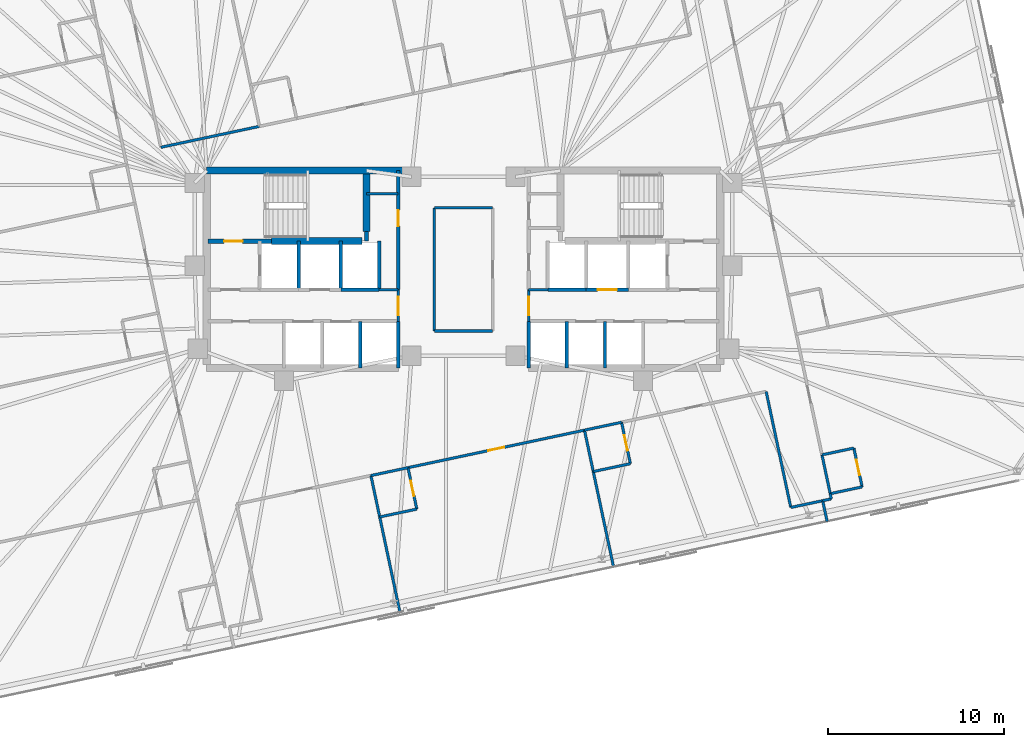
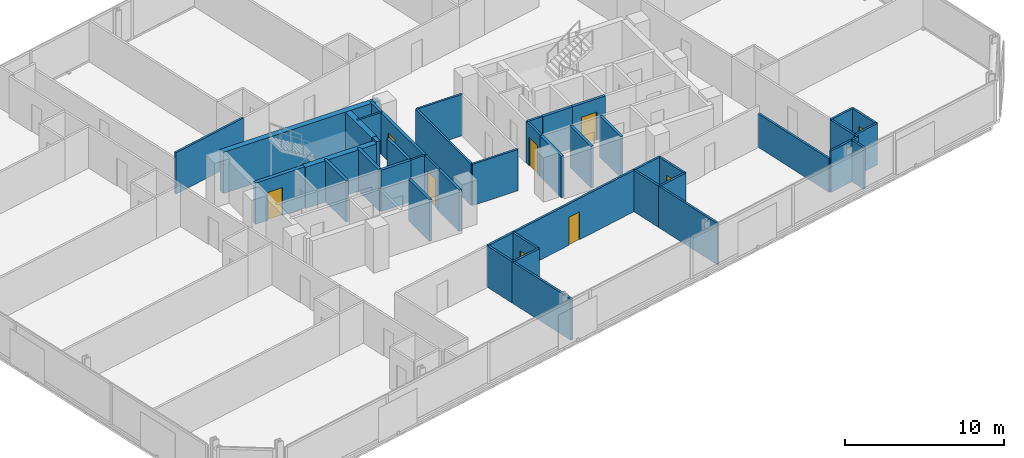
# One storey, part 15 of 19: 46 walls, 9 doors, 9 openings.
"""IFC4 building model written with IfcOpenShell, lengths in metres."""

from ifc_helpers import new_model, si_unit, direction, frame, frame_2d, origin, place, context, subcontext, project, spatial, rectangle, extrude, material, layer, layer_set, type_object, element, fill, save


model = new_model("IFC4")

# Units and contexts
model_context = context("Model", 3, precision=1e-05, world=origin(), true_north=direction((0.0, 1.0)))
body_context = subcontext(model_context, "Body", "Model", "MODEL_VIEW")
ifc_project = project(units=[si_unit("LENGTHUNIT", "METRE"), si_unit("AREAUNIT", "SQUARE_METRE"), si_unit("VOLUMEUNIT", "CUBIC_METRE"), si_unit("PLANEANGLEUNIT", "RADIAN"), si_unit("MASSUNIT", "GRAM", prefix="KILO")], contexts=[model_context])

# Site, building, storey
site_placement = place(None, origin())
site = spatial("IfcSite", under=ifc_project, at=site_placement, CompositionType="ELEMENT")
building_placement = place(site_placement, origin())
building = spatial("IfcBuilding", under=site, at=building_placement, Name="Menara Jurai Vektor", CompositionType="ELEMENT")
storey_placement = place(building_placement, frame((0.0, 0.0, 182.0)))
storey = spatial("IfcBuildingStorey", under=building, at=storey_placement, Name="L47", CompositionType="ELEMENT", Elevation=182.0)

# Wall, opening, door
ifc_material_1 = material(Name="Concrete C40/50", Category="concrete")
ifc_layer_1 = layer(ifc_material_1, 0.25)
ifc_layer_set_1 = layer_set([ifc_layer_1], Name="Concrete C40/50")
wall_type_1 = type_object("IfcWallType", Name="INT-WALL-CORE-250", PredefinedType="STANDARD", material=ifc_layer_set_1)
wall_1_placement = place(storey_placement, frame((-14.5, 1.60009765625, 0.0), z_axis=(0.0, 0.0, 1.0), x_axis=(1.0, 0.0, 0.0)))
wall_1 = element("IfcWall", 1, at=wall_1_placement, inside=storey, type_object=wall_type_1, Name="Interior Wall IW-250 L47", PredefinedType="STANDARD", context=body_context, shape_type="SweptSolid", body=[
    extrude(rectangle(XDim=3.60009765625, YDim=0.25, at=frame_2d((1.800048828125, 0.0))), origin(), (0.0, 0.0, 1.0), 3.175048828125),
])
opening_1_placement = place(wall_1_placement, frame((0.919921875, 0.0, 0.0)))
opening_1 = element("IfcOpeningElement", 2, at=opening_1_placement, cuts=wall_1, Name="Opening D-L47-ST1", PredefinedType="OPENING", context=body_context, shape_type="SweptSolid", body=[
    extrude(rectangle(XDim=1.050048828125, YDim=2.14990234375, at=frame_2d((0.52490234375, 1.074951171875))), frame((0.0, 0.135009765625, 0.0), z_axis=(0.0, -1.0, 0.0), x_axis=(1.0, 0.0, 0.0)), (0.0, 0.0, 1.0), 0.27001953125),
])
ifc_material_2 = material(Name="Fire-Rated Steel Door", Category="steel")
door_type_1 = type_object("IfcDoorType", Name="DR-STAIR-1050", OperationType="NOTDEFINED", PredefinedType="DOOR", material=ifc_material_2)
door_1_placement = place(opening_1_placement, origin())
door_1 = element("IfcDoor", 3, at=door_1_placement, inside=storey, type_object=door_type_1, Name="Exit Stair ST1 Door L47", OperationType="SINGLE_SWING_RIGHT", OverallHeight=2.14990234375, OverallWidth=1.050048828125, PredefinedType="DOOR", context=body_context, shape_type="SweptSolid", body=[
    extrude(rectangle(XDim=1.050048828125, YDim=2.14990234375, at=frame_2d((0.52490234375, 1.074951171875))), frame((0.0, 0.02490234375, 0.0), z_axis=(0.0, -1.0, 0.0), x_axis=(1.0, 0.0, 0.0)), (0.0, 0.0, 1.0), 0.050048828125),
])
fill(opening_1, door_1)

# Walls
wall_2_placement = place(storey_placement, frame((-5.5, 1.60009765625, 0.0), z_axis=(0.0, 0.0, 1.0), x_axis=(0.0, 1.0, 0.0)))
element("IfcWall", 4, at=wall_2_placement, inside=storey, type_object=wall_type_1, Name="Interior Wall IW-250 L47", PredefinedType="STANDARD", context=body_context, shape_type="SweptSolid", body=[
    extrude(rectangle(XDim=0.5498046875, YDim=0.25, at=frame_2d((0.27490234375, 0.0))), origin(), (0.0, 0.0, 1.0), 3.175048828125),
])
wall_3_placement = place(storey_placement, frame((-9.35009765625, -1.14990234375, 0.0), z_axis=(0.0, 0.0, 1.0), x_axis=(0.0, 1.0, 0.0)))
element("IfcWall", 5, at=wall_3_placement, inside=storey, type_object=wall_type_1, Name="Interior Wall IW-250 L47", PredefinedType="STANDARD", context=body_context, shape_type="SweptSolid", body=[
    extrude(rectangle(XDim=2.75, YDim=0.199951171875, at=frame_2d((1.375, 0.0))), origin(), (0.0, 0.0, 1.0), 3.175048828125),
])

# Wall, opening, door
ifc_material_3 = material(Name="Gypsum Fireboard Partition", Category="gypsum")
ifc_layer_2 = layer(ifc_material_3, 0.14990234375)
ifc_layer_set_2 = layer_set([ifc_layer_2], Name="Gypsum Fireboard Partition")
wall_type_2 = type_object("IfcWallType", Name="INT-WALL-CORR-150", PredefinedType="PARTITIONING", material=ifc_layer_set_2)
wall_4_placement = place(storey_placement, frame((-3.699951171875, -2.949951171875, 0.0), z_axis=(0.0, 0.0, 1.0), x_axis=(0.0, 1.0, 0.0)))
wall_4 = element("IfcWall", 6, at=wall_4_placement, inside=storey, type_object=wall_type_2, Name="Interior Wall IW-150 L47", PredefinedType="PARTITIONING", context=body_context, shape_type="SweptSolid", body=[
    extrude(rectangle(XDim=1.800048828125, YDim=0.14990234375, at=frame_2d((0.89990234375, 0.0))), origin(), (0.0, 0.0, 1.0), 3.175048828125),
])
opening_2_placement = place(wall_4_placement, frame((0.35009765625, 0.0, 0.0)))
opening_2 = element("IfcOpeningElement", 7, at=opening_2_placement, cuts=wall_4, Name="Opening D-L47-LLW", PredefinedType="OPENING", context=body_context, shape_type="SweptSolid", body=[
    extrude(rectangle(XDim=1.050048828125, YDim=2.179931640625, at=frame_2d((0.52490234375, 1.08984375))), frame((0.0, 0.0849609375, 0.0), z_axis=(0.0, -1.0, 0.0), x_axis=(1.0, 0.0, 0.0)), (0.0, 0.0, 1.0), 0.169921875),
])
ifc_material_4 = material(Name="Fire-Rated Timber Door", Category="wood")
door_type_2 = type_object("IfcDoorType", Name="DR-LOBBY-1050", OperationType="NOTDEFINED", PredefinedType="DOOR", material=ifc_material_4)
door_2_placement = place(opening_2_placement, origin())
door_2 = element("IfcDoor", 8, at=door_2_placement, inside=storey, type_object=door_type_2, Name="Lift Lobby Corridor Door W L47", OperationType="SINGLE_SWING_LEFT", OverallHeight=2.179931640625, OverallWidth=1.050048828125, PredefinedType="DOOR", context=body_context, shape_type="SweptSolid", body=[
    extrude(rectangle(XDim=1.050048828125, YDim=2.179931640625, at=frame_2d((0.52490234375, 1.08984375))), frame((0.0, 0.02490234375, 0.0), z_axis=(0.0, -1.0, 0.0), x_axis=(1.0, 0.0, 0.0)), (0.0, 0.0, 1.0), 0.050048828125),
])
fill(opening_2, door_2)

# Wall
wall_5_placement = place(storey_placement, frame((-4.7900390625, -1.14990234375, 0.0), z_axis=(0.0, 0.0, 1.0), x_axis=(1.0, 0.0, 0.0)))
element("IfcWall", 9, at=wall_5_placement, inside=storey, type_object=wall_type_2, Name="Interior Wall IW-150 L47", PredefinedType="PARTITIONING", context=body_context, shape_type="SweptSolid", body=[
    extrude(rectangle(XDim=1.090087890625, YDim=0.14990234375, at=frame_2d((0.544921875, 0.0))), origin(), (0.0, 0.0, 1.0), 3.175048828125),
])

# Wall, opening, door
wall_6_placement = place(storey_placement, frame((3.699951171875, -2.949951171875, 0.0), z_axis=(0.0, 0.0, 1.0), x_axis=(0.0, 1.0, 0.0)))
wall_6 = element("IfcWall", 10, at=wall_6_placement, inside=storey, type_object=wall_type_2, Name="Interior Wall IW-150 L47", PredefinedType="PARTITIONING", context=body_context, shape_type="SweptSolid", body=[
    extrude(rectangle(XDim=1.800048828125, YDim=0.14990234375, at=frame_2d((0.89990234375, 0.0))), origin(), (0.0, 0.0, 1.0), 3.175048828125),
])
opening_3_placement = place(wall_6_placement, frame((0.35009765625, 0.0, 0.0)))
opening_3 = element("IfcOpeningElement", 11, at=opening_3_placement, cuts=wall_6, Name="Opening D-L47-LLE", PredefinedType="OPENING", context=body_context, shape_type="SweptSolid", body=[
    extrude(rectangle(XDim=1.050048828125, YDim=2.179931640625, at=frame_2d((0.52490234375, 1.08984375))), frame((0.0, 0.0849609375, 0.0), z_axis=(0.0, -1.0, 0.0), x_axis=(1.0, 0.0, 0.0)), (0.0, 0.0, 1.0), 0.169921875),
])
door_3_placement = place(opening_3_placement, frame((1.050048828125, 0.0, 0.0), z_axis=(0.0, 0.0, 1.0), x_axis=(-1.0, 0.0, 0.0)))
door_3 = element("IfcDoor", 12, at=door_3_placement, inside=storey, type_object=door_type_2, Name="Lift Lobby Corridor Door E L47", OperationType="SINGLE_SWING_RIGHT", OverallHeight=2.179931640625, OverallWidth=1.050048828125, PredefinedType="DOOR", context=body_context, shape_type="SweptSolid", body=[
    extrude(rectangle(XDim=1.050048828125, YDim=2.179931640625, at=frame_2d((0.52490234375, 1.08984375))), frame((0.0, 0.02490234375, 0.0), z_axis=(0.0, -1.0, 0.0), x_axis=(1.0, 0.0, 0.0)), (0.0, 0.0, 1.0), 0.050048828125),
])
fill(opening_3, door_3)

# Walls
wall_7_placement = place(storey_placement, frame((3.699951171875, -1.14990234375, 0.0), z_axis=(0.0, 0.0, 1.0), x_axis=(1.0, 0.0, 0.0)))
element("IfcWall", 13, at=wall_7_placement, inside=storey, type_object=wall_type_2, Name="Interior Wall IW-150 L47", PredefinedType="PARTITIONING", context=body_context, shape_type="SweptSolid", body=[
    extrude(rectangle(XDim=1.090087890625, YDim=0.14990234375, at=frame_2d((0.544921875, 0.0))), origin(), (0.0, 0.0, 1.0), 3.175048828125),
])
wall_8_placement = place(storey_placement, frame((-5.5, 4.300048828125, 0.0), z_axis=(0.0, 0.0, 1.0), x_axis=(1.0, 0.0, 0.0)))
element("IfcWall", 14, at=wall_8_placement, inside=storey, type_object=wall_type_2, Name="Interior Wall IW-150 L47", PredefinedType="PARTITIONING", context=body_context, shape_type="SweptSolid", body=[
    extrude(rectangle(XDim=1.800048828125, YDim=0.14990234375, at=frame_2d((0.89990234375, 0.0))), origin(), (0.0, 0.0, 1.0), 3.175048828125),
])
wall_9_placement = place(storey_placement, frame((-1.64990234375, -3.489501953125, 0.0), z_axis=(0.0, 0.0, 1.0), x_axis=(-3.4979712e-05, 0.999999999388, 0.0)))
element("IfcWall", 15, at=wall_9_placement, inside=storey, type_object=wall_type_2, Name="Interior Wall IW-150 L47", PredefinedType="PARTITIONING", context=body_context, shape_type="SweptSolid", body=[
    extrude(rectangle(XDim=6.9794921875, YDim=0.14990234375, at=frame_2d((3.48974609375, 0.0))), origin(), (0.0, 0.0, 1.0), 3.175048828125),
])
wall_10_placement = place(storey_placement, frame((-1.64990234375, -3.489501953125, 0.0), z_axis=(0.0, 0.0, 1.0), x_axis=(0.999999975374, -0.000221926315, 0.0)))
element("IfcWall", 16, at=wall_10_placement, inside=storey, type_object=wall_type_2, Name="Interior Wall IW-150 L47", PredefinedType="PARTITIONING", context=body_context, shape_type="SweptSolid", body=[
    extrude(rectangle(XDim=3.30029296875, YDim=0.14990234375, at=frame_2d((1.650146484375, 0.0))), origin(), (0.0, 0.0, 1.0), 3.175048828125),
])
wall_11_placement = place(storey_placement, frame((-1.650146484375, 3.489990234375, 0.0), z_axis=(0.0, 0.0, 1.0), x_axis=(1.0, 0.0, 0.0)))
element("IfcWall", 17, at=wall_11_placement, inside=storey, type_object=wall_type_2, Name="Interior Wall IW-150 L47", PredefinedType="PARTITIONING", context=body_context, shape_type="SweptSolid", body=[
    extrude(rectangle(XDim=3.300048828125, YDim=0.14990234375, at=frame_2d((1.64990234375, 0.0))), origin(), (0.0, 0.0, 1.0), 3.175048828125),
])
wall_12_placement = place(storey_placement, frame((-17.162353515625, 6.92578125, 0.0), z_axis=(0.0, 0.0, 1.0), x_axis=(0.978144196583, 0.207927705443, 0.0)))
element("IfcWall", 18, at=wall_12_placement, inside=storey, type_object=wall_type_2, Name="Interior Wall IW-150 L47", PredefinedType="PARTITIONING", context=body_context, shape_type="SweptSolid", body=[
    extrude(rectangle(XDim=5.717041015625, YDim=0.14990234375, at=frame_2d((2.8583984375, 0.0))), origin(), (0.0, 0.0, 1.0), 3.175048828125),
])

# Wall, opening, door
wall_13_placement = place(storey_placement, frame((-3.147705078125, -11.2421875, 0.0), z_axis=(0.0, 0.0, 1.0), x_axis=(0.978150238925, 0.207899278718, 0.0)))
wall_13 = element("IfcWall", 19, at=wall_13_placement, inside=storey, type_object=wall_type_2, Name="Interior Wall IW-150 L47", PredefinedType="PARTITIONING", context=body_context, shape_type="SweptSolid", body=[
    extrude(rectangle(XDim=10.23193359375, YDim=0.14990234375, at=frame_2d((5.115966796875, 0.0))), origin(), (0.0, 0.0, 1.0), 3.175048828125),
])
opening_4_placement = place(wall_13_placement, frame((4.656005859375, 0.0, 0.0)))
opening_4 = element("IfcOpeningElement", 20, at=opening_4_placement, cuts=wall_13, Name="Opening D47-15", PredefinedType="OPENING", context=body_context, shape_type="SweptSolid", body=[
    extrude(rectangle(XDim=0.919921875, YDim=2.14990234375, at=frame_2d((0.4599609375, 1.074951171875))), frame((0.0, 0.0849609375, 0.0), z_axis=(0.0, -1.0, 0.0), x_axis=(1.0, 0.0, 0.0)), (0.0, 0.0, 1.0), 0.169921875),
])
ifc_material_5 = material(Name="Solid Core Timber Fire Door", Category="wood")
door_type_3 = type_object("IfcDoorType", Name="DR-ENTRY-950", OperationType="NOTDEFINED", PredefinedType="DOOR", material=ifc_material_5)
door_4_placement = place(opening_4_placement, origin())
door_4 = element("IfcDoor", 21, at=door_4_placement, inside=storey, type_object=door_type_3, Name="Interior Door D47-15", OperationType="SINGLE_SWING_RIGHT", OverallHeight=2.14990234375, OverallWidth=0.919921875, PredefinedType="DOOR", context=body_context, shape_type="SweptSolid", body=[
    extrude(rectangle(XDim=0.919921875, YDim=2.14990234375, at=frame_2d((0.4599609375, 1.074951171875))), frame((0.0, 0.02490234375, 0.0), z_axis=(0.0, -1.0, 0.0), x_axis=(1.0, 0.0, 0.0)), (0.0, 0.0, 1.0), 0.050048828125),
])
fill(opening_4, door_4)

# Walls
wall_14_placement = place(storey_placement, frame((-5.250732421875, -11.689208984375, 0.0), z_axis=(0.0, 0.0, 1.0), x_axis=(0.978146728319, 0.207915795165, 0.0)))
element("IfcWall", 22, at=wall_14_placement, inside=storey, type_object=wall_type_2, Name="Interior Wall IW-150 L47", PredefinedType="PARTITIONING", context=body_context, shape_type="SweptSolid", body=[
    extrude(rectangle(XDim=2.14990234375, YDim=0.14990234375, at=frame_2d((1.074951171875, 0.0))), origin(), (0.0, 0.0, 1.0), 3.175048828125),
])
wall_15_placement = place(storey_placement, frame((18.5595703125, -13.498291015625, 0.0), z_axis=(0.0, 0.0, 1.0), x_axis=(0.978160192495, 0.207852442415, 0.0)))
element("IfcWall", 23, at=wall_15_placement, inside=storey, type_object=wall_type_2, Name="Interior Wall IW-150 L47", PredefinedType="PARTITIONING", context=body_context, shape_type="SweptSolid", body=[
    extrude(rectangle(XDim=1.849853515625, YDim=0.14990234375, at=frame_2d((0.9248046875, 0.0))), origin(), (0.0, 0.0, 1.0), 3.175048828125),
])
wall_16_placement = place(storey_placement, frame((6.860595703125, -9.114990234375, 0.0), z_axis=(0.0, 0.0, 1.0), x_axis=(0.978146728319, 0.207915795165, 0.0)))
element("IfcWall", 24, at=wall_16_placement, inside=storey, type_object=wall_type_2, Name="Interior Wall IW-150 L47", PredefinedType="PARTITIONING", context=body_context, shape_type="SweptSolid", body=[
    extrude(rectangle(XDim=2.14990234375, YDim=0.14990234375, at=frame_2d((1.074951171875, 0.0))), origin(), (0.0, 0.0, 1.0), 3.175048828125),
])
wall_17_placement = place(storey_placement, frame((20.369140625, -13.11376953125, 0.0), z_axis=(0.0, 0.0, 1.0), x_axis=(0.978143962546, 0.207928806409, 0.0)))
element("IfcWall", 25, at=wall_17_placement, inside=storey, type_object=wall_type_2, Name="Interior Wall IW-150 L47", PredefinedType="PARTITIONING", context=body_context, shape_type="SweptSolid", body=[
    extrude(rectangle(XDim=0.500244140625, YDim=0.14990234375, at=frame_2d((0.25, 0.0))), origin(), (0.0, 0.0, 1.0), 3.175048828125),
])
wall_18_placement = place(storey_placement, frame((20.8583984375, -13.009765625, 0.0), z_axis=(0.0, 0.0, 1.0), x_axis=(-0.208306395052, 0.978063620518, 0.0)))
element("IfcWall", 26, at=wall_18_placement, inside=storey, type_object=wall_type_2, Name="Interior Wall IW-150 L47", PredefinedType="PARTITIONING", context=body_context, shape_type="SweptSolid", body=[
    extrude(rectangle(XDim=0.300048828125, YDim=0.14990234375, at=frame_2d((0.14990234375, 0.0))), origin(), (0.0, 0.0, 1.0), 3.175048828125),
])
wall_19_placement = place(storey_placement, frame((20.7958984375, -12.71630859375, 0.0), z_axis=(0.0, 0.0, 1.0), x_axis=(-0.207891197838, 0.978151956427, 0.0)))
element("IfcWall", 27, at=wall_19_placement, inside=storey, type_object=wall_type_2, Name="Interior Wall IW-150 L47", PredefinedType="PARTITIONING", context=body_context, shape_type="SweptSolid", body=[
    extrude(rectangle(XDim=2.25, YDim=0.14990234375, at=frame_2d((1.125, 0.0))), origin(), (0.0, 0.0, 1.0), 3.175048828125),
])
wall_20_placement = place(storey_placement, frame((-3.60400390625, -19.436279296875, 0.0), z_axis=(0.0, 0.0, 1.0), x_axis=(-0.20791588359, 0.978146709523, 0.0)))
element("IfcWall", 28, at=wall_20_placement, inside=storey, type_object=wall_type_2, Name="Interior Wall IW-150 L47", PredefinedType="PARTITIONING", context=body_context, shape_type="SweptSolid", body=[
    extrude(rectangle(XDim=5.52001953125, YDim=0.14990234375, at=frame_2d((2.760009765625, 0.0))), origin(), (0.0, 0.0, 1.0), 3.175048828125),
])
wall_21_placement = place(storey_placement, frame((-4.751708984375, -14.036865234375, 0.0), z_axis=(0.0, 0.0, 1.0), x_axis=(-0.207917150959, 0.978146440129, 0.0)))
element("IfcWall", 29, at=wall_21_placement, inside=storey, type_object=wall_type_2, Name="Interior Wall IW-150 L47", PredefinedType="PARTITIONING", context=body_context, shape_type="SweptSolid", body=[
    extrude(rectangle(XDim=2.400146484375, YDim=0.14990234375, at=frame_2d((1.2001953125, 0.0))), origin(), (0.0, 0.0, 1.0), 3.175048828125),
])
wall_22_placement = place(storey_placement, frame((-4.751708984375, -14.036865234375, 0.0), z_axis=(0.0, 0.0, 1.0), x_axis=(0.978146728319, 0.207915795165, 0.0)))
element("IfcWall", 30, at=wall_22_placement, inside=storey, type_object=wall_type_2, Name="Interior Wall IW-150 L47", PredefinedType="PARTITIONING", context=body_context, shape_type="SweptSolid", body=[
    extrude(rectangle(XDim=2.14990234375, YDim=0.14990234375, at=frame_2d((1.074951171875, 0.0))), origin(), (0.0, 0.0, 1.0), 3.175048828125),
])

# Wall, opening, door
wall_23_placement = place(storey_placement, frame((-2.648681640625, -13.58984375, 0.0), z_axis=(0.0, 0.0, 1.0), x_axis=(-0.207917150959, 0.978146440129, 0.0)))
wall_23 = element("IfcWall", 31, at=wall_23_placement, inside=storey, type_object=wall_type_2, Name="Interior Wall IW-150 L47", PredefinedType="PARTITIONING", context=body_context, shape_type="SweptSolid", body=[
    extrude(rectangle(XDim=2.400146484375, YDim=0.14990234375, at=frame_2d((1.2001953125, 0.0))), origin(), (0.0, 0.0, 1.0), 3.175048828125),
])
opening_5_placement = place(wall_23_placement, frame((0.760009765625, 0.0, 0.0)))
opening_5 = element("IfcOpeningElement", 32, at=opening_5_placement, cuts=wall_23, Name="Opening D47-16", PredefinedType="OPENING", context=body_context, shape_type="SweptSolid", body=[
    extrude(rectangle(XDim=0.8798828125, YDim=2.14990234375, at=frame_2d((0.43994140625, 1.074951171875))), frame((0.0, 0.0849609375, 0.0), z_axis=(0.0, -1.0, 0.0), x_axis=(1.0, 0.0, 0.0)), (0.0, 0.0, 1.0), 0.169921875),
])
ifc_material_6 = material(Name="Moisture-Resistant Timber Door", Category="wood")
door_type_4 = type_object("IfcDoorType", Name="DR-BATH-880", OperationType="NOTDEFINED", PredefinedType="DOOR", material=ifc_material_6)
door_5_placement = place(opening_5_placement, origin())
door_5 = element("IfcDoor", 33, at=door_5_placement, inside=storey, type_object=door_type_4, Name="Interior Door D47-16", OperationType="SINGLE_SWING_LEFT", OverallHeight=2.14990234375, OverallWidth=0.8798828125, PredefinedType="DOOR", context=body_context, shape_type="SweptSolid", body=[
    extrude(rectangle(XDim=0.8798828125, YDim=2.14990234375, at=frame_2d((0.43994140625, 1.074951171875))), frame((0.0, 0.02490234375, 0.0), z_axis=(0.0, -1.0, 0.0), x_axis=(1.0, 0.0, 0.0)), (0.0, 0.0, 1.0), 0.050048828125),
])
fill(opening_5, door_5)

# Walls
wall_24_placement = place(storey_placement, frame((8.50732421875, -16.86181640625, 0.0), z_axis=(0.0, 0.0, 1.0), x_axis=(-0.20791588359, 0.978146709523, 0.0)))
element("IfcWall", 34, at=wall_24_placement, inside=storey, type_object=wall_type_2, Name="Interior Wall IW-150 L47", PredefinedType="PARTITIONING", context=body_context, shape_type="SweptSolid", body=[
    extrude(rectangle(XDim=5.52001953125, YDim=0.14990234375, at=frame_2d((2.760009765625, 0.0))), origin(), (0.0, 0.0, 1.0), 3.175048828125),
])
wall_25_placement = place(storey_placement, frame((7.359619140625, -11.46240234375, 0.0), z_axis=(0.0, 0.0, 1.0), x_axis=(-0.207937840262, 0.978142042133, 0.0)))
element("IfcWall", 35, at=wall_25_placement, inside=storey, type_object=wall_type_2, Name="Interior Wall IW-150 L47", PredefinedType="PARTITIONING", context=body_context, shape_type="SweptSolid", body=[
    extrude(rectangle(XDim=2.39990234375, YDim=0.14990234375, at=frame_2d((1.199951171875, 0.0))), origin(), (0.0, 0.0, 1.0), 3.175048828125),
])
wall_26_placement = place(storey_placement, frame((7.359619140625, -11.46240234375, 0.0), z_axis=(0.0, 0.0, 1.0), x_axis=(0.978146728319, 0.207915795165, 0.0)))
element("IfcWall", 36, at=wall_26_placement, inside=storey, type_object=wall_type_2, Name="Interior Wall IW-150 L47", PredefinedType="PARTITIONING", context=body_context, shape_type="SweptSolid", body=[
    extrude(rectangle(XDim=2.14990234375, YDim=0.14990234375, at=frame_2d((1.074951171875, 0.0))), origin(), (0.0, 0.0, 1.0), 3.175048828125),
])

# Wall, opening, door
wall_27_placement = place(storey_placement, frame((9.462646484375, -11.015380859375, 0.0), z_axis=(0.0, 0.0, 1.0), x_axis=(-0.207937840262, 0.978142042133, 0.0)))
wall_27 = element("IfcWall", 37, at=wall_27_placement, inside=storey, type_object=wall_type_2, Name="Interior Wall IW-150 L47", PredefinedType="PARTITIONING", context=body_context, shape_type="SweptSolid", body=[
    extrude(rectangle(XDim=2.39990234375, YDim=0.14990234375, at=frame_2d((1.199951171875, 0.0))), origin(), (0.0, 0.0, 1.0), 3.175048828125),
])
opening_6_placement = place(wall_27_placement, frame((0.760009765625, 0.0, 0.0)))
opening_6 = element("IfcOpeningElement", 38, at=opening_6_placement, cuts=wall_27, Name="Opening D47-18", PredefinedType="OPENING", context=body_context, shape_type="SweptSolid", body=[
    extrude(rectangle(XDim=0.8798828125, YDim=2.14990234375, at=frame_2d((0.43994140625, 1.074951171875))), frame((0.0, 0.0849609375, 0.0), z_axis=(0.0, -1.0, 0.0), x_axis=(1.0, 0.0, 0.0)), (0.0, 0.0, 1.0), 0.169921875),
])
door_6_placement = place(opening_6_placement, origin())
door_6 = element("IfcDoor", 39, at=door_6_placement, inside=storey, type_object=door_type_4, Name="Interior Door D47-18", OperationType="SINGLE_SWING_LEFT", OverallHeight=2.14990234375, OverallWidth=0.8798828125, PredefinedType="DOOR", context=body_context, shape_type="SweptSolid", body=[
    extrude(rectangle(XDim=0.8798828125, YDim=2.14990234375, at=frame_2d((0.43994140625, 1.074951171875))), frame((0.0, 0.02490234375, 0.0), z_axis=(0.0, -1.0, 0.0), x_axis=(1.0, 0.0, 0.0)), (0.0, 0.0, 1.0), 0.050048828125),
])
fill(opening_6, door_6)

# Walls
wall_28_placement = place(storey_placement, frame((20.61865234375, -14.28759765625, 0.0), z_axis=(0.0, 0.0, 1.0), x_axis=(-0.207917150959, 0.978146440129, 0.0)))
element("IfcWall", 40, at=wall_28_placement, inside=storey, type_object=wall_type_2, Name="Interior Wall IW-150 L47", PredefinedType="PARTITIONING", context=body_context, shape_type="SweptSolid", body=[
    extrude(rectangle(XDim=1.199951171875, YDim=0.14990234375, at=frame_2d((0.60009765625, 0.0))), origin(), (0.0, 0.0, 1.0), 3.175048828125),
])
for number, where, z_axis, x_axis, name in (
    (41, (20.7958984375, -12.71630859375, 0.0), (0.0, 0.0, 1.0), (0.978160192495, 0.207852442415, 0.0), "Interior Wall IW-150 L47"),
    (42, (20.328125, -10.515380859375, 0.0), (0.0, 0.0, 1.0), (0.978160192495, 0.207852442415, 0.0), "Interior Wall IW-150 L47"),
):
    element("IfcWall", number, at=place(storey_placement, frame(where, z_axis=z_axis, x_axis=x_axis)), inside=storey, type_object=wall_type_2, Name=name, PredefinedType="PARTITIONING", context=body_context, shape_type="SweptSolid", body=[
        extrude(rectangle(XDim=1.849853515625, YDim=0.14990234375, at=frame_2d((0.9248046875, 0.0))), origin(), (0.0, 0.0, 1.0), 3.175048828125),
    ])

# Wall, opening, door
wall_29_placement = place(storey_placement, frame((22.60546875, -12.331787109375, 0.0), z_axis=(0.0, 0.0, 1.0), x_axis=(-0.207891197838, 0.978151956427, 0.0)))
wall_29 = element("IfcWall", 43, at=wall_29_placement, inside=storey, type_object=wall_type_2, Name="Interior Wall IW-150 L47", PredefinedType="PARTITIONING", context=body_context, shape_type="SweptSolid", body=[
    extrude(rectangle(XDim=2.25, YDim=0.14990234375, at=frame_2d((1.125, 0.0))), origin(), (0.0, 0.0, 1.0), 3.175048828125),
])
opening_7_placement = place(wall_29_placement, frame((0.68505859375, 0.0, 0.0)))
opening_7 = element("IfcOpeningElement", 44, at=opening_7_placement, cuts=wall_29, Name="Opening D47-30", PredefinedType="OPENING", context=body_context, shape_type="SweptSolid", body=[
    extrude(rectangle(XDim=0.8798828125, YDim=2.14990234375, at=frame_2d((0.43994140625, 1.074951171875))), frame((0.0, 0.0849609375, 0.0), z_axis=(0.0, -1.0, 0.0), x_axis=(1.0, 0.0, 0.0)), (0.0, 0.0, 1.0), 0.169921875),
])
door_7_placement = place(opening_7_placement, origin())
door_7 = element("IfcDoor", 45, at=door_7_placement, inside=storey, type_object=door_type_4, Name="Interior Door D47-30", OperationType="SINGLE_SWING_LEFT", OverallHeight=2.14990234375, OverallWidth=0.8798828125, PredefinedType="DOOR", context=body_context, shape_type="SweptSolid", body=[
    extrude(rectangle(XDim=0.8798828125, YDim=2.14990234375, at=frame_2d((0.43994140625, 1.074951171875))), frame((0.0, 0.02490234375, 0.0), z_axis=(0.0, -1.0, 0.0), x_axis=(1.0, 0.0, 0.0)), (0.0, 0.0, 1.0), 0.050048828125),
])
fill(opening_7, door_7)

# Wall
ifc_layer_3 = layer(ifc_material_3, 0.14990234375)
ifc_layer_set_3 = layer_set([ifc_layer_3], Name="Gypsum Fireboard Partition")
wall_type_3 = type_object("IfcWallType", Name="INT-WALL-CORR-150-H2", PredefinedType="PARTITIONING", material=ifc_layer_set_3)
wall_30_placement = place(storey_placement, frame((18.5595703125, -13.498291015625, 0.0), z_axis=(0.0, 0.0, 1.0), x_axis=(-0.207888737749, 0.978152479278, 0.0)))
element("IfcWall", 46, at=wall_30_placement, inside=storey, type_object=wall_type_3, Name="Interior Wall IW-150 L47", PredefinedType="PARTITIONING", context=body_context, shape_type="SweptSolid", body=[
    extrude(rectangle(XDim=6.7197265625, YDim=0.14990234375, at=frame_2d((3.35986328125, 0.0))), origin(), (0.0, 0.0, 1.0), 2.574951171875),
])

# Wall, opening, door
ifc_layer_4 = layer(ifc_material_1, 0.199951171875)
ifc_layer_set_4 = layer_set([ifc_layer_4], Name="Concrete C40/50")
wall_type_4 = type_object("IfcWallType", Name="INT-WALL-SHAFT-200", PredefinedType="STANDARD", material=ifc_layer_set_4)
wall_31_placement = place(storey_placement, frame((-3.699951171875, -1.14990234375, 0.0), z_axis=(0.0, 0.0, 1.0), x_axis=(0.0, 1.0, 0.0)))
wall_31 = element("IfcWall", 47, at=wall_31_placement, inside=storey, type_object=wall_type_4, Name="Interior Wall IW-200 L47", PredefinedType="STANDARD", context=body_context, shape_type="SweptSolid", body=[
    extrude(rectangle(XDim=6.75, YDim=0.199951171875, at=frame_2d((3.375, 0.0))), origin(), (0.0, 0.0, 1.0), 3.175048828125),
])
opening_8_placement = place(wall_31_placement, frame((3.60009765625, 0.0, 0.0)))
opening_8 = element("IfcOpeningElement", 48, at=opening_8_placement, cuts=wall_31, Name="Opening D47-02", PredefinedType="OPENING", context=body_context, shape_type="SweptSolid", body=[
    extrude(rectangle(XDim=0.919921875, YDim=2.14990234375, at=frame_2d((0.4599609375, 1.074951171875))), frame((0.0, 0.10986328125, 0.0), z_axis=(0.0, -1.0, 0.0), x_axis=(1.0, 0.0, 0.0)), (0.0, 0.0, 1.0), 0.219970703125),
])
door_8_placement = place(opening_8_placement, origin())
door_8 = element("IfcDoor", 49, at=door_8_placement, inside=storey, type_object=door_type_3, Name="Interior Door D47-02", OperationType="SINGLE_SWING_LEFT", OverallHeight=2.14990234375, OverallWidth=0.919921875, PredefinedType="DOOR", context=body_context, shape_type="SweptSolid", body=[
    extrude(rectangle(XDim=0.919921875, YDim=2.14990234375, at=frame_2d((0.4599609375, 1.074951171875))), frame((0.0, 0.02490234375, 0.0), z_axis=(0.0, -1.0, 0.0), x_axis=(1.0, 0.0, 0.0)), (0.0, 0.0, 1.0), 0.050048828125),
])
fill(opening_8, door_8)

# Walls
wall_32_placement = place(storey_placement, frame((-3.699951171875, -5.60009765625, 0.0), z_axis=(0.0, 0.0, 1.0), x_axis=(0.0, 1.0, 0.0)))
element("IfcWall", 50, at=wall_32_placement, inside=storey, type_object=wall_type_4, Name="Interior Wall IW-200 L47", PredefinedType="STANDARD", context=body_context, shape_type="SweptSolid", body=[
    extrude(rectangle(XDim=2.650146484375, YDim=0.199951171875, at=frame_2d((1.3251953125, 0.0))), origin(), (0.0, 0.0, 1.0), 3.175048828125),
])
for number, where, z_axis, x_axis, name in (
    (51, (-6.949951171875, -1.14990234375, 0.0), (0.0, 0.0, 1.0), (0.0, 1.0, 0.0), "Interior Wall IW-200 L47"),
    (52, (-4.7900390625, -1.14990234375, 0.0), (0.0, 0.0, 1.0), (0.0, 1.0, 0.0), "Interior Wall IW-200 L47"),
):
    element("IfcWall", number, at=place(storey_placement, frame(where, z_axis=z_axis, x_axis=x_axis)), inside=storey, type_object=wall_type_4, Name=name, PredefinedType="STANDARD", context=body_context, shape_type="SweptSolid", body=[
        extrude(rectangle(XDim=2.75, YDim=0.199951171875, at=frame_2d((1.375, 0.0))), origin(), (0.0, 0.0, 1.0), 3.175048828125),
    ])
wall_33_placement = place(storey_placement, frame((-6.949951171875, -1.14990234375, 0.0), z_axis=(0.0, 0.0, 1.0), x_axis=(1.0, 0.0, 0.0)))
element("IfcWall", 53, at=wall_33_placement, inside=storey, type_object=wall_type_4, Name="Interior Wall IW-200 L47", PredefinedType="STANDARD", context=body_context, shape_type="SweptSolid", body=[
    extrude(rectangle(XDim=2.159912109375, YDim=0.199951171875, at=frame_2d((1.080078125, 0.0))), origin(), (0.0, 0.0, 1.0), 3.175048828125),
])
for number, where, z_axis, x_axis, name in (
    (54, (-5.860107421875, -5.60009765625, 0.0), (0.0, 0.0, 1.0), (0.0, 1.0, 0.0), "Interior Wall IW-200 L47"),
    (55, (3.699951171875, -5.60009765625, 0.0), (0.0, 0.0, 1.0), (0.0, 1.0, 0.0), "Interior Wall IW-200 L47"),
):
    element("IfcWall", number, at=place(storey_placement, frame(where, z_axis=z_axis, x_axis=x_axis)), inside=storey, type_object=wall_type_4, Name=name, PredefinedType="STANDARD", context=body_context, shape_type="SweptSolid", body=[
        extrude(rectangle(XDim=2.650146484375, YDim=0.199951171875, at=frame_2d((1.3251953125, 0.0))), origin(), (0.0, 0.0, 1.0), 3.175048828125),
    ])

# Wall, opening, door
wall_34_placement = place(storey_placement, frame((6.949951171875, -1.14990234375, 0.0), z_axis=(0.0, 0.0, 1.0), x_axis=(1.0, 0.0, 0.0)))
wall_34 = element("IfcWall", 56, at=wall_34_placement, inside=storey, type_object=wall_type_4, Name="Interior Wall IW-200 L47", PredefinedType="STANDARD", context=body_context, shape_type="SweptSolid", body=[
    extrude(rectangle(XDim=2.400146484375, YDim=0.199951171875, at=frame_2d((1.2001953125, 0.0))), origin(), (0.0, 0.0, 1.0), 3.175048828125),
])
opening_9_placement = place(wall_34_placement, frame((0.64990234375, 0.0, 0.0)))
opening_9 = element("IfcOpeningElement", 57, at=opening_9_placement, cuts=wall_34, Name="Opening LD-L47-SVL2", PredefinedType="OPENING", context=body_context, shape_type="SweptSolid", body=[
    extrude(rectangle(XDim=1.10009765625, YDim=2.14990234375, at=frame_2d((0.550048828125, 1.074951171875))), frame((0.0, 0.10986328125, 0.0), z_axis=(0.0, -1.0, 0.0), x_axis=(1.0, 0.0, 0.0)), (0.0, 0.0, 1.0), 0.219970703125),
])
ifc_material_7 = material(Name="Anodised Stainless Sliding Lift Landing Door", Category="steel")
door_type_5 = type_object("IfcDoorType", Name="DR-LIFT-PASS-1100", OperationType="NOTDEFINED", PredefinedType="DOOR", material=ifc_material_7)
door_9_placement = place(opening_9_placement, origin())
door_9 = element("IfcDoor", 58, at=door_9_placement, inside=storey, type_object=door_type_5, Name="Lift Landing Door SVL2 L47", OperationType="SLIDING_TO_RIGHT", OverallHeight=2.14990234375, OverallWidth=1.10009765625, PredefinedType="DOOR", context=body_context, shape_type="SweptSolid", body=[
    extrude(rectangle(XDim=1.10009765625, YDim=2.14990234375, at=frame_2d((0.550048828125, 1.074951171875))), frame((0.0, 0.02490234375, 0.0), z_axis=(0.0, -1.0, 0.0), x_axis=(1.0, 0.0, 0.0)), (0.0, 0.0, 1.0), 0.050048828125),
])
fill(opening_9, door_9)

# Walls
wall_35_placement = place(storey_placement, frame((4.7900390625, -1.14990234375, 0.0), z_axis=(0.0, 0.0, 1.0), x_axis=(1.0, 0.0, 0.0)))
element("IfcWall", 59, at=wall_35_placement, inside=storey, type_object=wall_type_4, Name="Interior Wall IW-200 L47", PredefinedType="STANDARD", context=body_context, shape_type="SweptSolid", body=[
    extrude(rectangle(XDim=2.159912109375, YDim=0.199951171875, at=frame_2d((1.080078125, 0.0))), origin(), (0.0, 0.0, 1.0), 3.175048828125),
])
wall_36_placement = place(storey_placement, frame((5.860107421875, -5.60009765625, 0.0), z_axis=(0.0, 0.0, 1.0), x_axis=(0.0, 1.0, 0.0)))
element("IfcWall", 60, at=wall_36_placement, inside=storey, type_object=wall_type_4, Name="Interior Wall IW-200 L47", PredefinedType="STANDARD", context=body_context, shape_type="SweptSolid", body=[
    extrude(rectangle(XDim=2.650146484375, YDim=0.199951171875, at=frame_2d((1.3251953125, 0.0))), origin(), (0.0, 0.0, 1.0), 3.175048828125),
])
wall_37_placement = place(storey_placement, frame((8.02001953125, -5.60009765625, 0.0), z_axis=(0.0, 0.0, 1.0), x_axis=(0.0, 1.0, 0.0)))
element("IfcWall", 61, at=wall_37_placement, inside=storey, type_object=wall_type_4, Name="Interior Wall IW-200 L47", PredefinedType="STANDARD", context=body_context, shape_type="SweptSolid", body=[
    extrude(rectangle(XDim=2.650146484375, YDim=0.179931640625, at=frame_2d((1.3251953125, 0.0))), origin(), (0.0, 0.0, 1.0), 3.175048828125),
])
ifc_material_8 = material(Name="Concrete C50/60", Category="concrete")
ifc_layer_5 = layer(ifc_material_8, 0.39990234375)
ifc_layer_set_5 = layer_set([ifc_layer_5], Name="Concrete C50/60")
wall_type_5 = type_object("IfcWallType", Name="STR-WALL-CORE400", PredefinedType="SHEAR", material=ifc_layer_set_5)
wall_38_placement = place(storey_placement, frame((-14.56005859375, 5.60009765625, 0.0), z_axis=(0.0, 0.0, 1.0), x_axis=(1.0, 0.0, 0.0)))
element("IfcWall", 62, at=wall_38_placement, inside=storey, type_object=wall_type_5, Name="Core Shear Wall CW-W-N L47", PredefinedType="SHEAR", context=body_context, shape_type="SweptSolid", body=[
    extrude(rectangle(XDim=11.41015625, YDim=0.39990234375, at=frame_2d((5.705078125, 0.0))), origin(), (0.0, 0.0, 1.0), 3.175048828125),
])
wall_39_placement = place(storey_placement, frame((-5.5, 2.14990234375, 0.0), z_axis=(0.0, 0.0, 1.0), x_axis=(0.0, 1.0, 0.0)))
element("IfcWall", 63, at=wall_39_placement, inside=storey, type_object=wall_type_5, Name="Core Shear Wall CW-W-ST L47", PredefinedType="SHEAR", context=body_context, shape_type="SweptSolid", body=[
    extrude(rectangle(XDim=3.25, YDim=0.39990234375, at=frame_2d((1.625, 0.0))), origin(), (0.0, 0.0, 1.0), 3.175048828125),
])
wall_40_placement = place(storey_placement, frame((-10.89990234375, 1.60009765625, 0.0), z_axis=(0.0, 0.0, 1.0), x_axis=(1.0, 0.0, 0.0)))
element("IfcWall", 64, at=wall_40_placement, inside=storey, type_object=wall_type_5, Name="Core Shear Wall CW-W-STS L47", PredefinedType="SHEAR", context=body_context, shape_type="SweptSolid", body=[
    extrude(rectangle(XDim=5.14990234375, YDim=0.39990234375, at=frame_2d((2.574951171875, 0.0))), origin(), (0.0, 0.0, 1.0), 3.175048828125),
])

save(model, "model.ifc")
